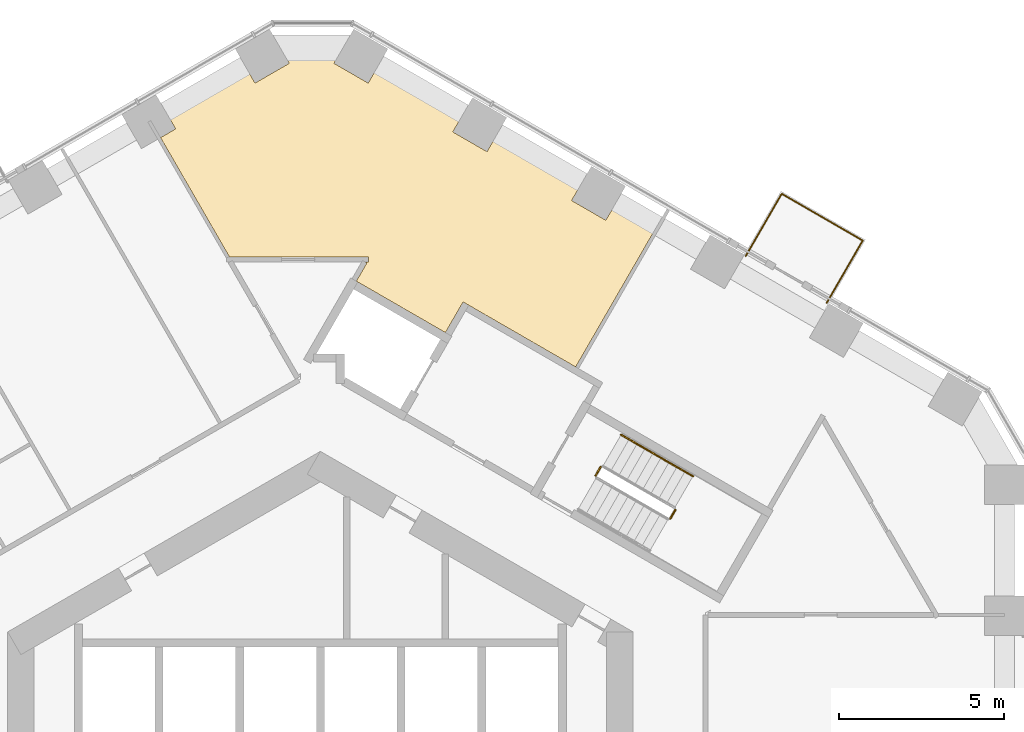
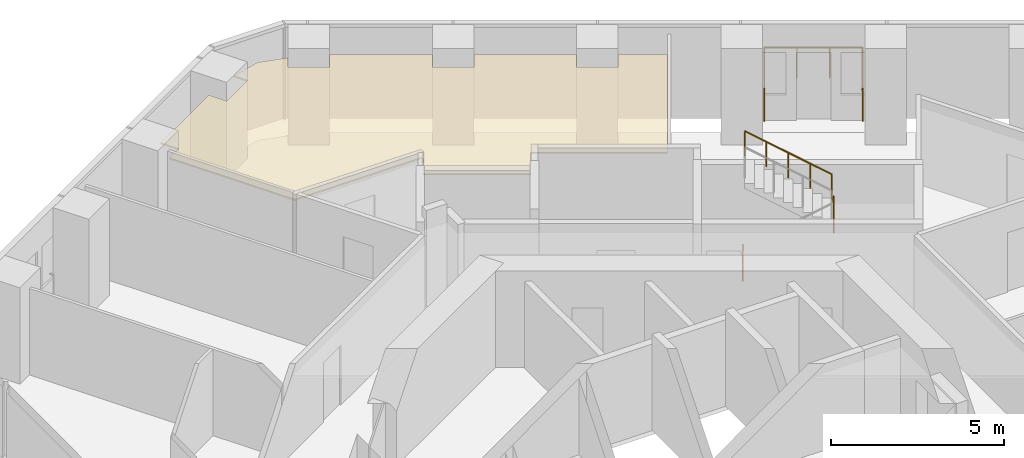
# One storey, part 19 of 19: 5 railings, 1 covering.
"""IFC4 building model written with IfcOpenShell, lengths in metres."""

from ifc_helpers import new_model, si_unit, direction, frame, origin, origin_2d, place, context, subcontext, project, spatial, polyline, circle, outline, extrude, material, layer, layer_set, type_object, element, save


model = new_model("IFC4")

# Units and contexts
model_context = context("Model", 3, precision=1e-05, world=origin(), true_north=direction((0.0, 1.0)))
body_context = subcontext(model_context, "Body", "Model", "MODEL_VIEW")
ifc_project = project(units=[si_unit("LENGTHUNIT", "METRE"), si_unit("AREAUNIT", "SQUARE_METRE"), si_unit("VOLUMEUNIT", "CUBIC_METRE"), si_unit("PLANEANGLEUNIT", "RADIAN"), si_unit("MASSUNIT", "GRAM", prefix="KILO")], contexts=[model_context])

# Site, building, storey
site_placement = place(None, origin())
site = spatial("IfcSite", under=ifc_project, at=site_placement, CompositionType="ELEMENT")
building_placement = place(site_placement, origin())
building = spatial("IfcBuilding", under=site, at=building_placement, Name="Ayvan Gate Tower", CompositionType="ELEMENT")
storey_placement = place(building_placement, frame((0.0, 0.0, 39.10009765625)))
storey = spatial("IfcBuildingStorey", under=building, at=storey_placement, Name="L09", CompositionType="ELEMENT", Elevation=39.10009765625)

# Railing
ifc_material_1 = material(Name="Stainless steel 316 and laminated glass", Category="steel")
railing_type_1 = type_object("IfcRailingType", Name="Balcony balustrade 1100", PredefinedType="BALUSTRADE", material=ifc_material_1)
railing_1_placement = place(storey_placement, frame((15.383544921875, 15.479248046875, 0.0)))
element("IfcRailing", 1, at=railing_1_placement, inside=storey, type_object=railing_type_1, Name="Balcony balustrade BAL-L09-1", PredefinedType="BALUSTRADE", context=body_context, shape_type="SweptSolid", body=[
    extrude(circle(Radius=0.02490234375, at=origin_2d()), frame((0.0, 0.0, 1.0751953125), z_axis=(0.500095571584, 0.865970218473, 0.0), x_axis=(-0.865970218473, 0.500095571584, 0.0)), (0.0, 0.0, 1.0), 2.18994140625),
    extrude(circle(Radius=0.02490234375, at=origin_2d()), frame((1.09521484375, 1.896484375, 1.0751953125), z_axis=(-0.866019653938, 0.500009958894, 0.0), x_axis=(-0.500009958894, -0.866019653938, 0.0)), (0.0, 0.0, 1.0), 2.84228515625),
    extrude(circle(Radius=0.02490234375, at=origin_2d()), frame((-1.3662109375, 3.317626953125, 1.0751953125), z_axis=(-0.499963694393, -0.866046363822, 0.0), x_axis=(0.866046363822, -0.499963694393, 0.0)), (0.0, 0.0, 1.0), 2.190185546875),
    extrude(circle(Radius=0.02001953125, at=origin_2d()), origin(), (0.0, 0.0, 1.0), 1.050048828125),
    extrude(circle(Radius=0.02001953125, at=origin_2d()), frame((0.547607421875, 0.9482421875, 0.0)), (0.0, 0.0, 1.0), 1.050048828125),
    extrude(circle(Radius=0.02001953125, at=origin_2d()), frame((1.09521484375, 1.896484375, 0.0)), (0.0, 0.0, 1.0), 1.050048828125),
    extrude(circle(Radius=0.02001953125, at=origin_2d()), frame((0.274658203125, 2.3701171875, 0.0)), (0.0, 0.0, 1.0), 1.050048828125),
    extrude(circle(Radius=0.02001953125, at=origin_2d()), frame((-0.545654296875, 2.843994140625, 0.0)), (0.0, 0.0, 1.0), 1.050048828125),
    extrude(circle(Radius=0.02001953125, at=origin_2d()), frame((-1.3662109375, 3.317626953125, 0.0)), (0.0, 0.0, 1.0), 1.050048828125),
    extrude(circle(Radius=0.02001953125, at=origin_2d()), frame((-1.91357421875, 2.369140625, 0.0)), (0.0, 0.0, 1.0), 1.050048828125),
    extrude(circle(Radius=0.02001953125, at=origin_2d()), frame((-2.461181640625, 1.4208984375, 0.0)), (0.0, 0.0, 1.0), 1.050048828125),
])

# Covering
ifc_material_2 = material(Name="Plasterboard suspended ceiling")
ifc_layer = layer(ifc_material_2, 0.050048828125)
ifc_layer_set = layer_set([ifc_layer], Name="Plasterboard suspended ceiling")
covering_type = type_object("IfcCoveringType", Name="CT-SUSP-50", PredefinedType="CEILING", material=ifc_layer_set)
covering_placement = place(storey_placement, frame((0.0, 0.0, 2.699951171875)))
element("IfcCovering", 2, at=covering_placement, inside=storey, type_object=covering_type, Name="Ceiling Shared Kitchen L09", PredefinedType="CEILING", context=body_context, shape_type="SweptSolid", body=[
    extrude(outline(polyline([(-4.856201171875, 20.50341796875), (-4.3974609375, 20.768310546875), (-4.697509765625, 21.287841796875), (-2.28662109375, 22.6796875), (-1.98681640625, 22.16015625), (-0.947509765625, 22.76025390625), (-1.171630859375, 23.1484375), (-0.2373046875, 23.398681640625), (0.6455078125, 23.162353515625), (0.413330078125, 22.76025390625), (1.45263671875, 22.16015625), (1.767333984375, 22.70556640625), (4.038330078125, 21.394287109375), (4.33837890625, 21.22119140625), (4.023681640625, 20.67578125), (5.06298828125, 20.07568359375), (5.377685546875, 20.62109375), (7.94873046875, 19.13671875), (7.634033203125, 18.59130859375), (8.673095703125, 17.9912109375), (8.988037109375, 18.53662109375), (10.230224609375, 17.8193359375), (7.756591796875, 13.534912109375), (4.5263671875, 15.39990234375), (4.3359375, 15.510009765625), (3.798583984375, 14.5791015625), (1.135498046875, 16.116455078125), (1.092041015625, 16.1416015625), (1.41259765625, 16.6962890625), (1.364990234375, 16.723876953125), (1.4599609375, 16.723876953125), (1.4599609375, 16.873779296875), (-2.760498046875, 16.873779296875), (-4.856201171875, 20.50341796875)])), origin(), (0.0, 0.0, 1.0), 0.050048828125),
])

# Railings
ifc_material_3 = material(Name="Stainless steel balustrade", Category="steel")
railing_type_2 = type_object("IfcRailingType", Name="RL-GUARD-1100", PredefinedType="GUARDRAIL", material=ifc_material_3)
railing_2_placement = place(storey_placement, frame((10.6318359375, 8.9248046875, 1.699951171875)))
element("IfcRailing", 3, at=railing_2_placement, inside=storey, type_object=railing_type_2, Name="L09 STS1 stair guard 2", PredefinedType="GUARDRAIL", context=body_context, shape_type="SweptSolid", body=[
    extrude(circle(Radius=0.02392578125, at=origin_2d()), frame((0.0, 0.0, 1.076171875), z_axis=(0.499949632511, 0.866054481515, 0.0), x_axis=(-0.866054481515, 0.499949632511, 0.0)), (0.0, 0.0, 1.0), 0.31005859375),
    extrude(circle(Radius=0.02099609375, at=origin_2d()), origin(), (0.0, 0.0, 1.0), 1.052001953125),
    extrude(circle(Radius=0.02099609375, at=origin_2d()), frame((0.155029296875, 0.2685546875, 0.0)), (0.0, 0.0, 1.0), 1.052001953125),
])
railing_3_placement = place(storey_placement, frame((8.36279296875, 10.23486328125, 0.0)))
element("IfcRailing", 4, at=railing_3_placement, inside=storey, type_object=railing_type_2, Name="L09 STS1 stair guard 4", PredefinedType="GUARDRAIL", context=body_context, shape_type="SweptSolid", body=[
    extrude(circle(Radius=0.02392578125, at=origin_2d()), frame((0.0, 0.0, 1.076171875), z_axis=(0.500290723946, 0.86585748916, 0.0), x_axis=(-0.86585748916, 0.500290723946, 0.0)), (0.0, 0.0, 1.0), 0.309814453125),
    extrude(circle(Radius=0.02099609375, at=origin_2d()), origin(), (0.0, 0.0, 1.0), 1.052001953125),
    extrude(circle(Radius=0.02099609375, at=origin_2d()), frame((0.155029296875, 0.268310546875, 0.0)), (0.0, 0.0, 1.0), 1.052001953125),
])
railing_type_3 = type_object("IfcRailingType", Name="RL-HANDRAIL-900", PredefinedType="HANDRAIL", material=ifc_material_3)
railing_4_placement = place(storey_placement, frame((11.318603515625, 10.214111328125, 1.869873046875)))
element("IfcRailing", 5, at=railing_4_placement, inside=storey, type_object=railing_type_3, Name="L09 STS1 stair handrail 3", PredefinedType="HANDRAIL", context=body_context, shape_type="SweptSolid", body=[
    extrude(circle(Radius=0.02392578125, at=origin_2d()), frame((0.0, 0.0, 0.8759765625), z_axis=(-0.740240574041, 0.427418550694, 0.518996411419), x_axis=(-0.500035496587, -0.86600490885, 0.0)), (0.0, 0.0, 1.0), 1.474365234375),
    extrude(circle(Radius=0.02099609375, at=origin_2d()), origin(), (0.0, 0.0, 1.0), 0.851806640625),
    extrude(circle(Radius=0.02099609375, at=origin_2d()), frame((-0.545654296875, 0.31494140625, 0.382568359375)), (0.0, 0.0, 1.0), 0.851806640625),
    extrude(circle(Radius=0.02099609375, at=origin_2d()), frame((-1.09130859375, 0.630126953125, 0.76513671875)), (0.0, 0.0, 1.0), 0.851806640625),
])
railing_5_placement = place(storey_placement, frame((10.227294921875, 10.84423828125, 2.635009765625)))
element("IfcRailing", 6, at=railing_5_placement, inside=storey, type_object=railing_type_3, Name="L09 STS1 stair handrail 4", PredefinedType="HANDRAIL", context=body_context, shape_type="SweptSolid", body=[
    extrude(circle(Radius=0.02392578125, at=origin_2d()), frame((0.0, 0.0, 0.8759765625), z_axis=(-0.740356597536, 0.427319915356, 0.518912129772), x_axis=(-0.499890179513, -0.866088799389, 0.0)), (0.0, 0.0, 1.0), 1.47412109375),
    extrude(circle(Radius=0.02099609375, at=origin_2d()), origin(), (0.0, 0.0, 1.0), 0.851806640625),
    extrude(circle(Radius=0.02099609375, at=origin_2d()), frame((-0.545654296875, 0.31494140625, 0.38232421875)), (0.0, 0.0, 1.0), 0.851806640625),
    extrude(circle(Radius=0.02099609375, at=origin_2d()), frame((-1.09130859375, 0.6298828125, 0.764892578125)), (0.0, 0.0, 1.0), 0.851806640625),
])

save(model, "model.ifc")
